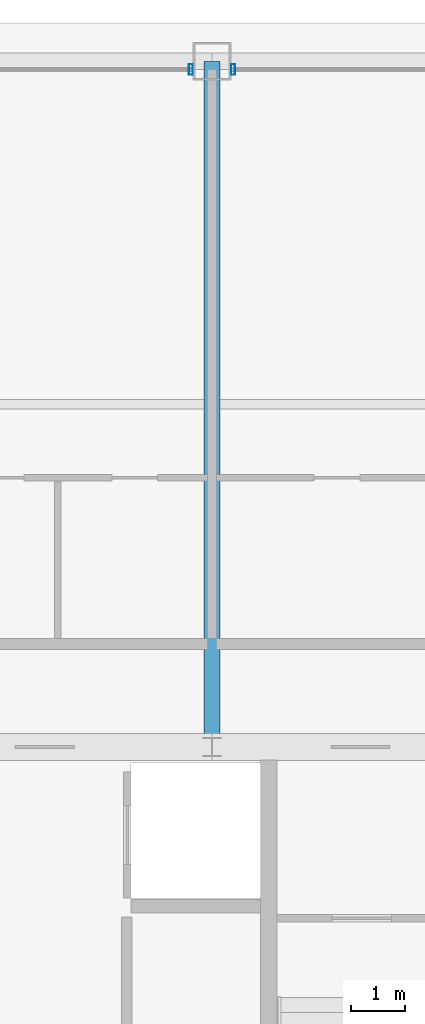
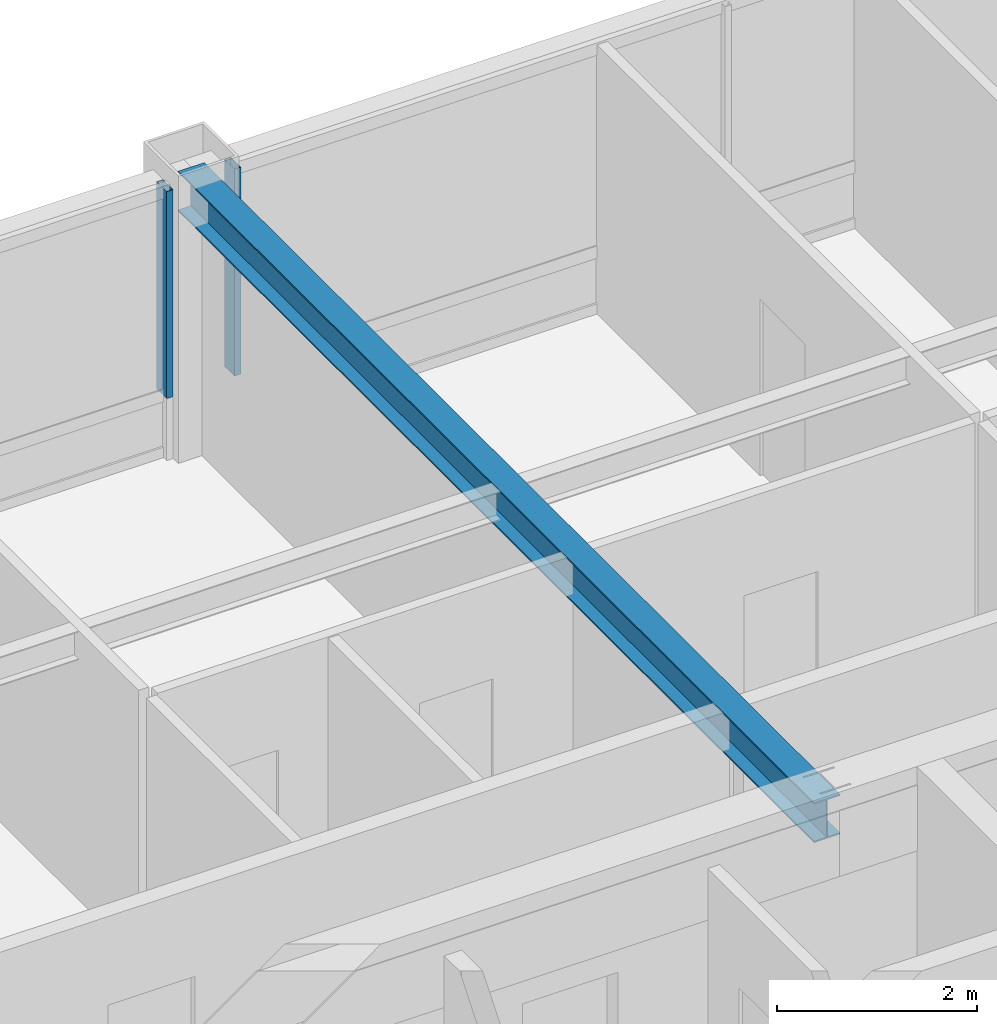
# One storey, part 18 of 35: 2 members, 1 beam, 2 elements without a shape of their own.
"""IFC4 building model written with IfcOpenShell, lengths in metres."""

from ifc_helpers import new_model, si_unit, direction, frame, origin, origin_2d, place, context, subcontext, project, spatial, hollow_rectangle, i_section, extrude, source, transform, mapped, material, layer, layer_set, material_profile, profile_set, type_object, element, aggregate, save


model = new_model("IFC4")

# Units and contexts
model_context = context("Model", 3, precision=1e-05, world=origin(), true_north=direction((0.0, 1.0)))
body_context = subcontext(model_context, "Body", "Model", "MODEL_VIEW")
ifc_project = project(units=[si_unit("LENGTHUNIT", "METRE"), si_unit("AREAUNIT", "SQUARE_METRE"), si_unit("VOLUMEUNIT", "CUBIC_METRE"), si_unit("PLANEANGLEUNIT", "RADIAN"), si_unit("MASSUNIT", "GRAM", prefix="KILO"), si_unit("THERMODYNAMICTEMPERATUREUNIT", "KELVIN"), si_unit("POWERUNIT", "WATT")], contexts=[model_context])

# Site, building, storey
site_placement = place(None, origin())
site = spatial("IfcSite", under=ifc_project, at=site_placement, CompositionType="ELEMENT")
building_placement = place(site_placement, origin())
building = spatial("IfcBuilding", under=site, at=building_placement, Name="Yuzanri Waterfront Tower", CompositionType="ELEMENT")
storey_placement = place(building_placement, frame((0.0, 0.0, 332.199951171875)))
storey = spatial("IfcBuildingStorey", under=building, at=storey_placement, Name="L89", CompositionType="ELEMENT", Elevation=332.199951171875)

# Beam
ifc_material_1 = material(Name="Steel Q355B", Category="steel")
ifc_material_profile_1 = material_profile(ifc_material_1, i_section(OverallWidth=0.300048828125, OverallDepth=0.488037109375, WebThickness=0.010986328125, FlangeThickness=0.01806640625, at=origin_2d()), Name="HM 488x300x11x18")
ifc_profile_set_1 = profile_set([ifc_material_profile_1], Name="Steel Q355B")
beam_type = type_object("IfcBeamType", Name="Primary Floor Girder Q355B HM 488x300", PredefinedType="BEAM", material=ifc_profile_set_1)
shared_shape_1 = source(origin(), body_context, "Body", "SweptSolid", [
    extrude(i_section(OverallWidth=0.300048828125, OverallDepth=0.488037109375, WebThickness=0.010986328125, FlangeThickness=0.01806640625, at=origin_2d()), origin(), (0.0, 0.0, 1.0), 12.699951171875),
])
beam_placement = place(storey_placement, frame((37.0, 32.199951171875, 3.0361328125), z_axis=(0.0, 1.0, 0.0), x_axis=(-1.0, 0.0, 0.0)))
element("IfcBeam", 1, at=beam_placement, inside=storey, type_object=beam_type, Name="L89 North Grid Girder", PredefinedType="BEAM", context=body_context, shape_type="MappedRepresentation", body=[
    mapped(shared_shape_1, transform((0.0, 0.0, 0.0), scale=1.0)),
])

# Curtain wall, member
ifc_material_2 = material(Name="Anodized Architectural Bronze", Category="metal")
ifc_layer = layer(ifc_material_2, 0.159912109375)
ifc_layer_set = layer_set([ifc_layer], Name="Anodized Architectural Bronze")
curtain_wall_type = type_object("IfcCurtainWallType", Name="Anodized Bronze High-Rise Penthouse High-Wind Unitized Curtain Wall 6900", PredefinedType="NOTDEFINED", material=ifc_layer_set)
curtain_wall_1_placement = place(storey_placement, origin())
curtain_wall_1 = element("IfcCurtainWall", 2, at=curtain_wall_1_placement, inside=storey, type_object=curtain_wall_type, Name="L89 Curtain Wall CW-L89-NL", PredefinedType="NOTDEFINED")
ifc_material_3 = material(Name="Anodized Architectural Bronze", Category="metal")
ifc_material_profile_2 = material_profile(ifc_material_3, hollow_rectangle(XDim=0.074951171875, YDim=0.199951171875, WallThickness=0.00390625, at=origin_2d()), Name="CWM 75x200")
ifc_profile_set_2 = profile_set([ifc_material_profile_2], Name="Anodized Architectural Bronze")
member_type = type_object("IfcMemberType", Name="Anodized Bronze Primary Curtain-Wall Mullion 75x200", PredefinedType="MULLION", material=ifc_profile_set_2)
shared_shape_2 = source(origin(), body_context, "Body", "SweptSolid", [
    extrude(hollow_rectangle(XDim=0.074951171875, YDim=0.199951171875, WallThickness=0.00390625, at=origin_2d()), origin(), (0.0, 0.0, 1.0), 2.52392578125),
])
member_1_placement = place(storey_placement, frame((36.610107421875, 44.75, 0.756103515625), z_axis=(0.0, 0.0, 1.0), x_axis=(1.0, 0.0, 0.0)))
member_1 = element("IfcMember", 3, at=member_1_placement, type_object=member_type, Name="CW-L89-NL Upper Mullion 02", PredefinedType="MULLION", context=body_context, shape_type="MappedRepresentation", body=[
    mapped(shared_shape_2, transform((0.0, 0.0, 0.0), scale=1.0)),
])
aggregate(curtain_wall_1, [member_1])

curtain_wall_2_placement = place(storey_placement, origin())
curtain_wall_2 = element("IfcCurtainWall", 4, at=curtain_wall_2_placement, inside=storey, type_object=curtain_wall_type, Name="L89 Curtain Wall CW-L89-NR", PredefinedType="NOTDEFINED")
member_2_placement = place(storey_placement, frame((37.389892578125, 44.75, 0.756103515625), z_axis=(0.0, 0.0, 1.0), x_axis=(1.0, 0.0, 0.0)))
member_2 = element("IfcMember", 5, at=member_2_placement, type_object=member_type, Name="CW-L89-NR Upper Mullion 00", PredefinedType="MULLION", context=body_context, shape_type="MappedRepresentation", body=[
    mapped(shared_shape_2, transform((0.0, 0.0, 0.0), scale=1.0)),
])
aggregate(curtain_wall_2, [member_2])

save(model, "model.ifc")
